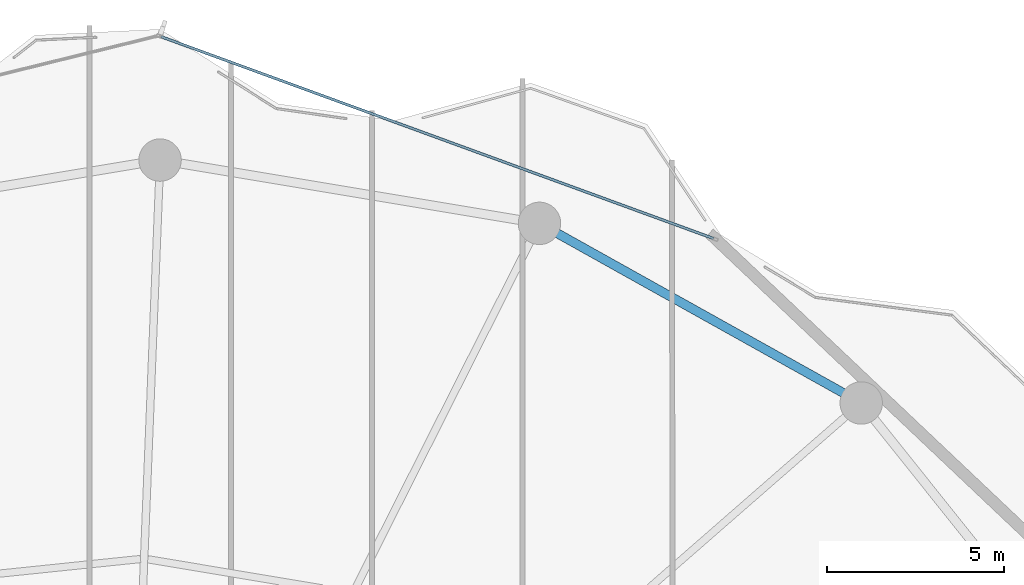
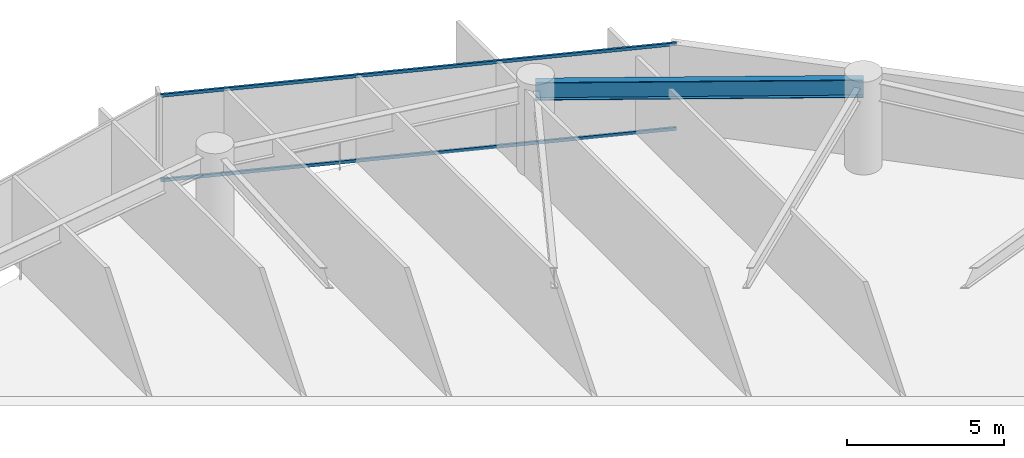
# One storey, part 20 of 28: 2 members, 1 beam, 1 element without a shape of its own.
"""IFC4 building model written with IfcOpenShell, lengths in metres."""

from ifc_helpers import new_model, si_unit, direction, frame, origin, origin_2d, place, context, subcontext, project, spatial, hollow_rectangle, i_section, extrude, material, layer, layer_set, material_profile, profile_set, type_object, element, aggregate, save


model = new_model("IFC4")

# Units and contexts
model_context = context("Model", 3, precision=1e-05, world=origin(), true_north=direction((0.0, 1.0)))
body_context = subcontext(model_context, "Body", "Model", "MODEL_VIEW")
ifc_project = project(units=[si_unit("LENGTHUNIT", "METRE"), si_unit("AREAUNIT", "SQUARE_METRE"), si_unit("VOLUMEUNIT", "CUBIC_METRE"), si_unit("PLANEANGLEUNIT", "RADIAN"), si_unit("MASSUNIT", "GRAM", prefix="KILO")], contexts=[model_context])

# Site, building, storey
site_placement = place(None, origin())
site = spatial("IfcSite", under=ifc_project, at=site_placement, CompositionType="ELEMENT")
building_placement = place(site_placement, origin())
building = spatial("IfcBuilding", under=site, at=building_placement, Name="Kazevale Care Tower and Concert Hall", CompositionType="ELEMENT")
storey_placement = place(building_placement, frame((0.0, 0.0, 138.60009765625)))
storey = spatial("IfcBuildingStorey", under=building, at=storey_placement, Name="L36", CompositionType="ELEMENT", Elevation=138.60009765625)

# Curtain wall, members
ifc_material_1 = material(Name="Aluminium 6063-T6 and Low-E Glass", Category="aluminium")
ifc_layer = layer(ifc_material_1, 0.179931640625)
ifc_layer_set = layer_set([ifc_layer], Name="Aluminium 6063-T6 and Low-E Glass")
curtain_wall_type = type_object("IfcCurtainWallType", Name="Convex Checkerboard Finned Curtain Wall CW-2", PredefinedType="NOTDEFINED", material=ifc_layer_set)
curtain_wall_placement = place(storey_placement, origin())
curtain_wall = element("IfcCurtainWall", 1, at=curtain_wall_placement, inside=storey, type_object=curtain_wall_type, Name="cw:L36:f16", PredefinedType="NOTDEFINED")
ifc_material_2 = material(Name="Aluminium 6063-T6", Category="aluminium")
ifc_material_profile_1 = material_profile(ifc_material_2, hollow_rectangle(XDim=0.074951171875, YDim=0.1201171875, WallThickness=0.00390625, at=origin_2d()), Name="ALU75x120x4")
ifc_profile_set_1 = profile_set([ifc_material_profile_1], Name="Aluminium 6063-T6")
member_type = type_object("IfcMemberType", Name="CW-2 Transom ALU75x120x4", PredefinedType="USERDEFINED", material=ifc_profile_set_1)
member_1_placement = place(storey_placement, frame((45.027099609375, 64.939453125, 0.037353515625), z_axis=(0.939285028824, -0.343137923622, 0.0), x_axis=(0.343137923622, 0.939285028824, 0.0)))
member_1 = element("IfcMember", 2, at=member_1_placement, type_object=member_type, Name="CW-2 transom 1.1", ObjectType="TRANSOM", PredefinedType="USERDEFINED", context=body_context, shape_type="SweptSolid", body=[
    extrude(hollow_rectangle(XDim=0.074951171875, YDim=0.1201171875, WallThickness=0.00390625, at=origin_2d()), origin(), (0.0, 0.0, 1.0), 16.634765625),
])
member_2_placement = place(storey_placement, frame((45.027099609375, 64.939453125, 3.322509765625), z_axis=(0.939285028824, -0.343137923622, 0.0), x_axis=(0.343137923622, 0.939285028824, 0.0)))
member_2 = element("IfcMember", 3, at=member_2_placement, type_object=member_type, Name="CW-2 transom 1.2", ObjectType="TRANSOM", PredefinedType="USERDEFINED", context=body_context, shape_type="SweptSolid", body=[
    extrude(hollow_rectangle(XDim=0.074951171875, YDim=0.1201171875, WallThickness=0.00390625, at=origin_2d()), origin(), (0.0, 0.0, 1.0), 16.634765625),
])
aggregate(curtain_wall, [member_1, member_2])

# Beam
ifc_material_3 = material(Name="Steel ASTM A572 Gr 50", Category="steel")
ifc_material_profile_2 = material_profile(ifc_material_3, i_section(OverallWidth=0.256103515625, OverallDepth=0.693115234375, WebThickness=0.014404296875, FlangeThickness=0.023681640625, at=origin_2d()), Name="W690x170")
ifc_profile_set_2 = profile_set([ifc_material_profile_2], Name="Steel ASTM A572 Gr 50")
beam_type = type_object("IfcBeamType", Name="Waist Ring Beam W690x170", PredefinedType="BEAM", material=ifc_profile_set_2)
beam_placement = place(storey_placement, frame((64.830078125, 54.580078125, 3.013427734375), z_axis=(-0.873168720251, 0.487418081297, 0.0), x_axis=(-0.487418081297, -0.873168720251, 0.0)))
element("IfcBeam", 4, at=beam_placement, inside=storey, type_object=beam_type, Name="beam:L36:ring:03", PredefinedType="BEAM", context=body_context, shape_type="SweptSolid", body=[
    extrude(i_section(OverallWidth=0.256103515625, OverallDepth=0.693115234375, WebThickness=0.014404296875, FlangeThickness=0.023681640625, at=origin_2d()), origin(), (0.0, 0.0, 1.0), 10.421875),
])

save(model, "model.ifc")
